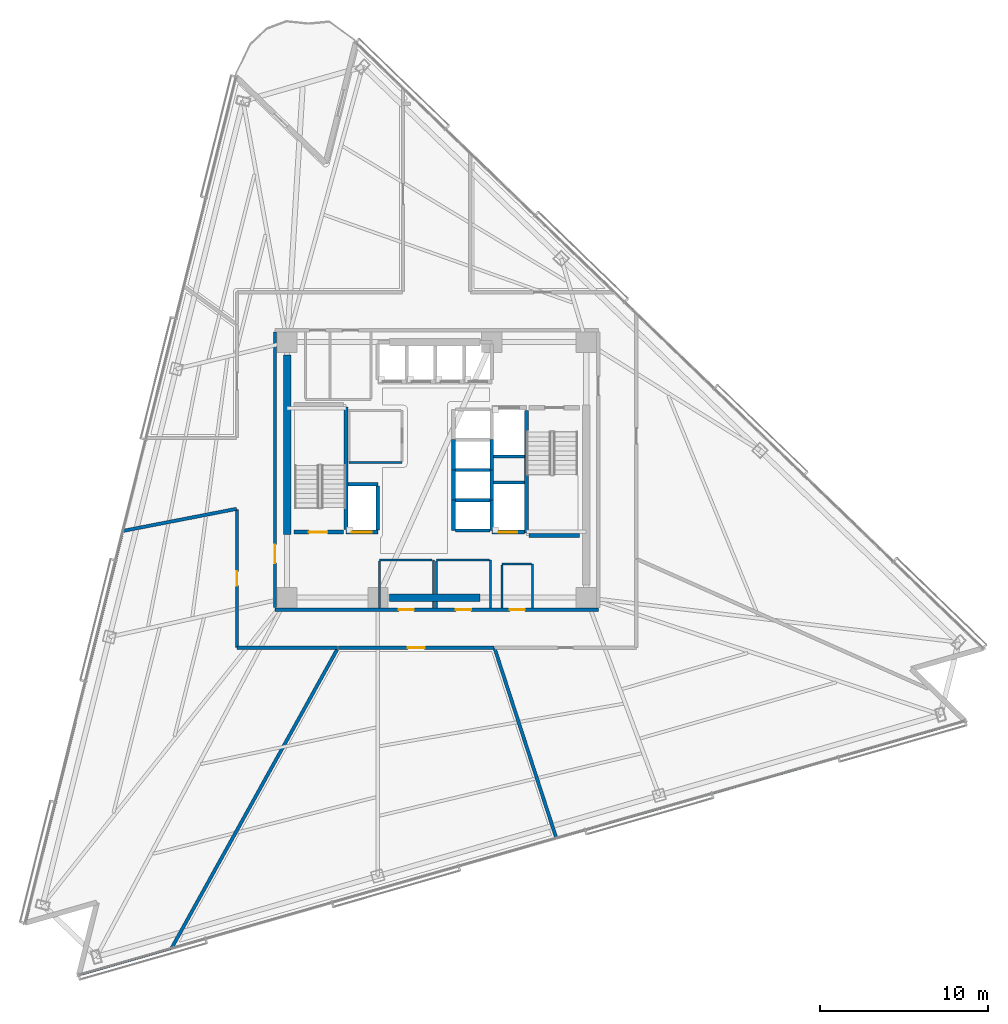
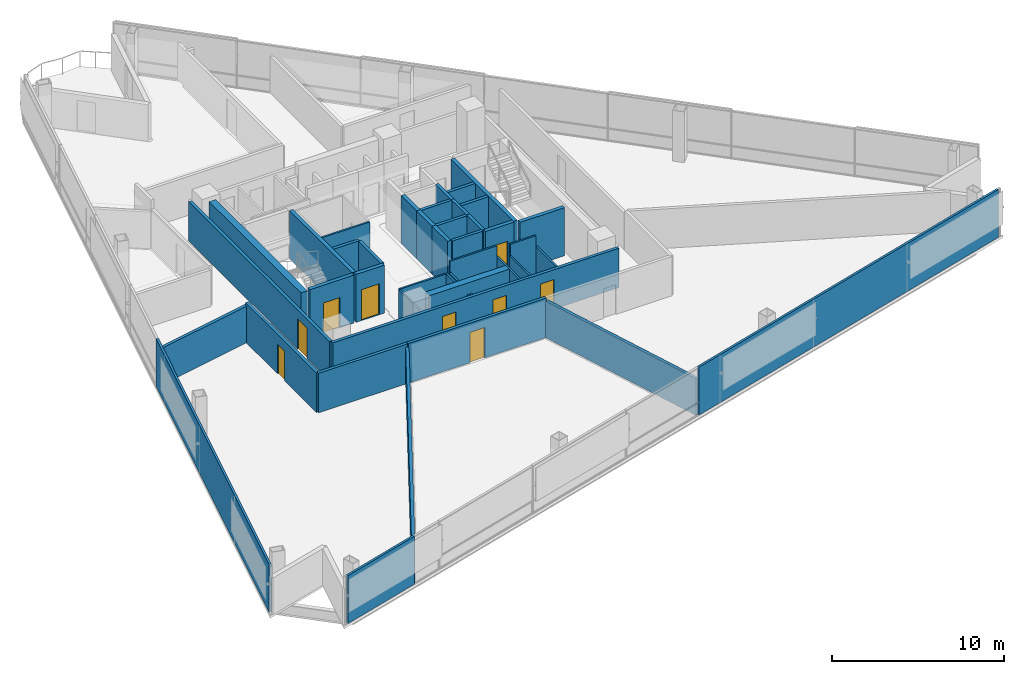
# One storey, part 9 of 17: 44 walls, 9 doors, 9 openings.
"""IFC4 building model written with IfcOpenShell, lengths in metres."""

from ifc_helpers import new_model, si_unit, direction, frame, frame_2d, origin, place, context, subcontext, project, spatial, rectangle, extrude, material, layer, layer_set, type_object, element, fill, save


model = new_model("IFC4")

# Units and contexts
model_context = context("Model", 3, precision=1e-05, world=origin(), true_north=direction((0.0, 1.0)))
body_context = subcontext(model_context, "Body", "Model", "MODEL_VIEW")
ifc_project = project(units=[si_unit("LENGTHUNIT", "METRE"), si_unit("AREAUNIT", "SQUARE_METRE"), si_unit("VOLUMEUNIT", "CUBIC_METRE"), si_unit("PLANEANGLEUNIT", "RADIAN"), si_unit("MASSUNIT", "GRAM", prefix="KILO")], contexts=[model_context])

# Site, building, storey
site_placement = place(None, origin())
site = spatial("IfcSite", under=ifc_project, at=site_placement, CompositionType="ELEMENT")
building_placement = place(site_placement, origin())
building = spatial("IfcBuilding", under=site, at=building_placement, Name="Tharavind Bronze Gate", CompositionType="ELEMENT")
storey_placement = place(building_placement, frame((0.0, 0.0, 96.89990234375)))
storey = spatial("IfcBuildingStorey", under=building, at=storey_placement, Name="L24", CompositionType="ELEMENT", Elevation=96.89990234375)

# Wall, openings, doors
ifc_material_1 = material(Name="Aerated Concrete Block", Category="concrete")
ifc_layer_1 = layer(ifc_material_1, 0.199951171875)
ifc_layer_set_1 = layer_set([ifc_layer_1], Name="Aerated Concrete Block")
wall_type_1 = type_object("IfcWallType", Name="FIRE RATED PARTITION 200", PredefinedType="PARTITIONING", material=ifc_layer_set_1)
wall_1_placement = place(storey_placement, frame((-9.6201171875, -8.320068359375, 0.0), z_axis=(0.0, 0.0, 1.0), x_axis=(1.0, 0.0, 0.0)))
wall_1 = element("IfcWall", 1, at=wall_1_placement, inside=storey, type_object=wall_type_1, Name="L24 south core corridor wall", PredefinedType="PARTITIONING", context=body_context, shape_type="SweptSolid", body=[
    extrude(rectangle(XDim=19.240234375, YDim=0.199951171875, at=frame_2d((9.6201171875, 0.0))), origin(), (0.0, 0.0, 1.0), 2.80517578125),
])
opening_1_placement = place(wall_1_placement, frame((7.3701171875, 0.0, 0.0)))
opening_1 = element("IfcOpeningElement", 2, at=opening_1_placement, cuts=wall_1, Name="Opening ID07", PredefinedType="OPENING", context=body_context, shape_type="SweptSolid", body=[
    extrude(rectangle(XDim=0.89990234375, YDim=2.10009765625, at=frame_2d((0.449951171875, 1.050048828125))), frame((0.0, 0.11009765625, 0.0), z_axis=(0.0, -1.0, 0.0), x_axis=(1.0, 0.0, 0.0)), (0.0, 0.0, 1.0), 0.219951171875),
])
opening_2_placement = place(wall_1_placement, frame((10.77001953125, 0.0, 0.0)))
opening_2 = element("IfcOpeningElement", 3, at=opening_2_placement, cuts=wall_1, Name="Opening ID07", PredefinedType="OPENING", context=body_context, shape_type="SweptSolid", body=[
    extrude(rectangle(XDim=0.89990234375, YDim=2.10009765625, at=frame_2d((0.449951171875, 1.050048828125))), frame((0.0, 0.11009765625, 0.0), z_axis=(0.0, -1.0, 0.0), x_axis=(1.0, 0.0, 0.0)), (0.0, 0.0, 1.0), 0.219951171875),
])
opening_3_placement = place(wall_1_placement, frame((13.969970703125, 0.0, 0.0)))
opening_3 = element("IfcOpeningElement", 4, at=opening_3_placement, cuts=wall_1, Name="Opening ID07", PredefinedType="OPENING", context=body_context, shape_type="SweptSolid", body=[
    extrude(rectangle(XDim=0.89990234375, YDim=2.10009765625, at=frame_2d((0.449951171875, 1.050048828125))), frame((0.0, 0.11009765625, 0.0), z_axis=(0.0, -1.0, 0.0), x_axis=(1.0, 0.0, 0.0)), (0.0, 0.0, 1.0), 0.219951171875),
])
ifc_material_2 = material(Name="Galvanised Fire Steel", Category="steel")
door_type_1 = type_object("IfcDoorType", Name="PLANT AND RISER FIRE DOOR 900X2100", OperationType="SINGLE_SWING_LEFT", PredefinedType="DOOR", material=ifc_material_2)
door_1_placement = place(opening_1_placement, frame((0.89990234375, 0.0, 0.0), z_axis=(0.0, 0.0, 1.0), x_axis=(-1.0, 0.0, 0.0)))
door_1 = element("IfcDoor", 5, at=door_1_placement, inside=storey, type_object=door_type_1, Name="L24 Core Archive Store fire door", OperationType="SINGLE_SWING_LEFT", OverallHeight=2.10009765625, OverallWidth=0.89990234375, PredefinedType="DOOR", context=body_context, shape_type="SweptSolid", body=[
    extrude(rectangle(XDim=0.89990234375, YDim=2.10009765625, at=frame_2d((0.449951171875, 1.050048828125))), frame((0.0, 0.02490234375, 0.0), z_axis=(0.0, -1.0, 0.0), x_axis=(1.0, 0.0, 0.0)), (0.0, 0.0, 1.0), 0.050048828125),
])
fill(opening_1, door_1)
door_2_placement = place(opening_2_placement, frame((0.89990234375, 0.0, 0.0), z_axis=(0.0, 0.0, 1.0), x_axis=(-1.0, 0.0, 0.0)))
door_2 = element("IfcDoor", 6, at=door_2_placement, inside=storey, type_object=door_type_1, Name="L24 Core Server Room fire door", OperationType="SINGLE_SWING_LEFT", OverallHeight=2.10009765625, OverallWidth=0.89990234375, PredefinedType="DOOR", context=body_context, shape_type="SweptSolid", body=[
    extrude(rectangle(XDim=0.89990234375, YDim=2.10009765625, at=frame_2d((0.449951171875, 1.050048828125))), frame((0.0, 0.02490234375, 0.0), z_axis=(0.0, -1.0, 0.0), x_axis=(1.0, 0.0, 0.0)), (0.0, 0.0, 1.0), 0.050048828125),
])
fill(opening_2, door_2)
door_3_placement = place(opening_3_placement, frame((0.89990234375, 0.0, 0.0), z_axis=(0.0, 0.0, 1.0), x_axis=(-1.0, 0.0, 0.0)))
door_3 = element("IfcDoor", 7, at=door_3_placement, inside=storey, type_object=door_type_1, Name="L24 Janitor Store Cupboard fire door", OperationType="SINGLE_SWING_LEFT", OverallHeight=2.10009765625, OverallWidth=0.89990234375, PredefinedType="DOOR", context=body_context, shape_type="SweptSolid", body=[
    extrude(rectangle(XDim=0.89990234375, YDim=2.10009765625, at=frame_2d((0.449951171875, 1.050048828125))), frame((0.0, 0.02490234375, 0.0), z_axis=(0.0, -1.0, 0.0), x_axis=(1.0, 0.0, 0.0)), (0.0, 0.0, 1.0), 0.050048828125),
])
fill(opening_3, door_3)

# Wall, opening, door
wall_2_placement = place(storey_placement, frame((-9.6201171875, 8.199951171875, 0.0), z_axis=(0.0, 0.0, 1.0), x_axis=(0.0, -1.0, 0.0)))
wall_2 = element("IfcWall", 8, at=wall_2_placement, inside=storey, type_object=wall_type_1, Name="L24 west core corridor wall", PredefinedType="PARTITIONING", context=body_context, shape_type="SweptSolid", body=[
    extrude(rectangle(XDim=16.39990234375, YDim=0.199951171875, at=frame_2d((8.199951171875, 0.0))), origin(), (0.0, 0.0, 1.0), 2.80517578125),
])
opening_4_placement = place(wall_2_placement, frame((12.64990234375, 0.0, 0.0)))
opening_4 = element("IfcOpeningElement", 9, at=opening_4_placement, cuts=wall_2, Name="Opening ID01", PredefinedType="OPENING", context=body_context, shape_type="SweptSolid", body=[
    extrude(rectangle(XDim=1.10009765625, YDim=2.14990234375, at=frame_2d((0.550048828125, 1.074951171875))), frame((0.0, 0.11009765625, 0.0), z_axis=(0.0, -1.0, 0.0), x_axis=(1.0, 0.0, 0.0)), (0.0, 0.0, 1.0), 0.219951171875),
])
ifc_material_3 = material(Name="Fire-Rated Steel", Category="steel")
door_type_2 = type_object("IfcDoorType", Name="STAIR CORE FIRE DOOR 1100X2150", OperationType="SINGLE_SWING_LEFT", PredefinedType="DOOR", material=ifc_material_3)
door_4_placement = place(opening_4_placement, frame((1.10009765625, 0.0, 0.0), z_axis=(0.0, 0.0, 1.0), x_axis=(-1.0, 0.0, 0.0)))
door_4 = element("IfcDoor", 10, at=door_4_placement, inside=storey, type_object=door_type_2, Name="L24 south west stair lobby fire door", OperationType="SINGLE_SWING_LEFT", OverallHeight=2.14990234375, OverallWidth=1.10009765625, PredefinedType="DOOR", context=body_context, shape_type="SweptSolid", body=[
    extrude(rectangle(XDim=1.10009765625, YDim=2.14990234375, at=frame_2d((0.550048828125, 1.074951171875))), frame((0.0, 0.02490234375, 0.0), z_axis=(0.0, -1.0, 0.0), x_axis=(1.0, 0.0, 0.0)), (0.0, 0.0, 1.0), 0.050048828125),
])
fill(opening_4, door_4)

# Wall
wall_3_placement = place(storey_placement, frame((-18.65576171875, -3.626220703125, 0.0), z_axis=(0.0, 0.0, 1.0), x_axis=(0.981626666558, 0.190811654522, 0.0)))
element("IfcWall", 11, at=wall_3_placement, inside=storey, type_object=wall_type_1, Name="L24 Public Restrooms Block partition", PredefinedType="PARTITIONING", context=body_context, shape_type="SweptSolid", body=[
    extrude(rectangle(XDim=6.8720703125, YDim=0.199951171875, at=frame_2d((3.43603515625, 0.0))), origin(), (0.0, 0.0, 1.0), 2.60498046875),
])

# Wall, opening, door
wall_4_placement = place(storey_placement, frame((-11.8798828125, -2.339599609375, 0.0), z_axis=(0.0, 0.0, 1.0), x_axis=(0.0, -1.0, 0.0)))
wall_4 = element("IfcWall", 12, at=wall_4_placement, inside=storey, type_object=wall_type_1, Name="L24 Public Restrooms Block partition", PredefinedType="PARTITIONING", context=body_context, shape_type="SweptSolid", body=[
    extrude(rectangle(XDim=8.23974609375, YDim=0.199951171875, at=frame_2d((4.119873046875, 0.0))), origin(), (0.0, 0.0, 1.0), 2.80517578125),
])
opening_5_placement = place(wall_4_placement, frame((3.695068359375, 0.0, 0.0)))
opening_5 = element("IfcOpeningElement", 13, at=opening_5_placement, cuts=wall_4, Name="Opening ID06", PredefinedType="OPENING", context=body_context, shape_type="SweptSolid", body=[
    extrude(rectangle(XDim=0.85009765625, YDim=2.10009765625, at=frame_2d((0.425048828125, 1.050048828125))), frame((0.0, 0.11009765625, 0.0), z_axis=(0.0, -1.0, 0.0), x_axis=(1.0, 0.0, 0.0)), (0.0, 0.0, 1.0), 0.219951171875),
])
ifc_material_4 = material(Name="Moisture-Resistant Timber", Category="wood")
door_type_3 = type_object("IfcDoorType", Name="BATHROOM PRIVACY DOOR 850X2100", OperationType="SINGLE_SWING_RIGHT", PredefinedType="DOOR", material=ifc_material_4)
door_5_placement = place(opening_5_placement, origin())
door_5 = element("IfcDoor", 14, at=door_5_placement, inside=storey, type_object=door_type_3, Name="L24 Public Restrooms Block door", OperationType="SINGLE_SWING_RIGHT", OverallHeight=2.10009765625, OverallWidth=0.85009765625, PredefinedType="DOOR", context=body_context, shape_type="SweptSolid", body=[
    extrude(rectangle(XDim=0.85009765625, YDim=2.10009765625, at=frame_2d((0.425048828125, 1.050048828125))), frame((0.0, 0.02490234375, 0.0), z_axis=(0.0, -1.0, 0.0), x_axis=(1.0, 0.0, 0.0)), (0.0, 0.0, 1.0), 0.050048828125),
])
fill(opening_5, door_5)

# Walls
wall_5_placement = place(storey_placement, frame((-11.87939453125, -10.580078125, 0.0), z_axis=(0.0, 0.0, 1.0), x_axis=(1.0, 0.0, 0.0)))
element("IfcWall", 15, at=wall_5_placement, inside=storey, type_object=wall_type_1, Name="L24 Public Restrooms Block partition", PredefinedType="PARTITIONING", context=body_context, shape_type="SweptSolid", body=[
    extrude(rectangle(XDim=5.972412109375, YDim=0.199951171875, at=frame_2d((2.986328125, 0.0))), origin(), (0.0, 0.0, 1.0), 2.80517578125),
])
wall_6_placement = place(storey_placement, frame((-5.9228515625, -10.68505859375, 0.0), z_axis=(0.0, 0.0, 1.0), x_axis=(-0.484811285835, -0.874618783886, 0.0)))
element("IfcWall", 16, at=wall_6_placement, inside=storey, type_object=wall_type_1, Name="L24 Public Restrooms Block partition", PredefinedType="PARTITIONING", context=body_context, shape_type="SweptSolid", body=[
    extrude(rectangle(XDim=20.3193359375, YDim=0.199951171875, at=frame_2d((10.15966796875, 0.0))), origin(), (0.0, 0.0, 1.0), 2.60498046875),
])
wall_7_placement = place(storey_placement, frame((7.108642578125, -21.8779296875, 0.0), z_axis=(0.0, 0.0, 1.0), x_axis=(-0.309027348364, 0.951053152018, 0.0)))
element("IfcWall", 17, at=wall_7_placement, inside=storey, type_object=wall_type_1, Name="L24 Public Restrooms Block partition", PredefinedType="PARTITIONING", context=body_context, shape_type="SweptSolid", body=[
    extrude(rectangle(XDim=11.844970703125, YDim=0.199951171875, at=frame_2d((5.92236328125, 0.0))), origin(), (0.0, 0.0, 1.0), 2.60498046875),
])

# Wall, opening, door
wall_8_placement = place(storey_placement, frame((-5.849853515625, -10.580078125, 0.0), z_axis=(0.0, 0.0, 1.0), x_axis=(1.0, 0.0, 0.0)))
wall_8 = element("IfcWall", 18, at=wall_8_placement, inside=storey, type_object=wall_type_1, Name="L24 Engineering Open Office partition", PredefinedType="PARTITIONING", context=body_context, shape_type="SweptSolid", body=[
    extrude(rectangle(XDim=9.269287109375, YDim=0.199951171875, at=frame_2d((4.634765625, 0.0))), origin(), (0.0, 0.0, 1.0), 2.80517578125),
])
opening_6_placement = place(wall_8_placement, frame((4.135009765625, 0.0, 0.0)))
opening_6 = element("IfcOpeningElement", 19, at=opening_6_placement, cuts=wall_8, Name="Opening ID04", PredefinedType="OPENING", context=body_context, shape_type="SweptSolid", body=[
    extrude(rectangle(XDim=1.0, YDim=2.14990234375, at=frame_2d((0.5, 1.074951171875))), frame((0.0, 0.11009765625, 0.0), z_axis=(0.0, -1.0, 0.0), x_axis=(1.0, 0.0, 0.0)), (0.0, 0.0, 1.0), 0.219951171875),
])
ifc_material_5 = material(Name="Bronze Framed Acoustic Timber", Category="wood")
door_type_4 = type_object("IfcDoorType", Name="OFFICE TENANCY DOOR 1000X2150", OperationType="SINGLE_SWING_RIGHT", PredefinedType="DOOR", material=ifc_material_5)
door_6_placement = place(opening_6_placement, origin())
door_6 = element("IfcDoor", 20, at=door_6_placement, inside=storey, type_object=door_type_4, Name="L24 Engineering Open Office door", OperationType="SINGLE_SWING_RIGHT", OverallHeight=2.14990234375, OverallWidth=1.0, PredefinedType="DOOR", context=body_context, shape_type="SweptSolid", body=[
    extrude(rectangle(XDim=1.0, YDim=2.14990234375, at=frame_2d((0.5, 1.074951171875))), frame((0.0, 0.02490234375, 0.0), z_axis=(0.0, -1.0, 0.0), x_axis=(1.0, 0.0, 0.0)), (0.0, 0.0, 1.0), 0.050048828125),
])
fill(opening_6, door_6)

# Walls
ifc_material_6 = material(Name="Metal Stud Gypsum Partition", Category="gypsum")
ifc_layer_2 = layer(ifc_material_6, 0.1201171875)
ifc_layer_set_2 = layer_set([ifc_layer_2], Name="Metal Stud Gypsum Partition")
wall_type_2 = type_object("IfcWallType", Name="INTERIOR PARTITION WALL 120", PredefinedType="PARTITIONING", material=ifc_layer_set_2)
wall_9_placement = place(storey_placement, frame((-5.219970703125, 0.449951171875, 0.0), z_axis=(0.0, 0.0, 1.0), x_axis=(1.0, 0.0, 0.0)))
element("IfcWall", 21, at=wall_9_placement, inside=storey, type_object=wall_type_2, Name="L24 Electrical & Telecom Store partition 1", PredefinedType="PARTITIONING", context=body_context, shape_type="SweptSolid", body=[
    extrude(rectangle(XDim=3.169921875, YDim=0.1201171875, at=frame_2d((1.5849609375, 0.0))), origin(), (0.0, 0.0, 1.0), 3.41015625),
])
wall_10_placement = place(storey_placement, frame((-0.199951171875, -8.215087890625, 0.0), z_axis=(0.0, 0.0, 1.0), x_axis=(0.0, 1.0, 0.0)))
element("IfcWall", 22, at=wall_10_placement, inside=storey, type_object=wall_type_2, Name="L24 Core Archive Store partition 2", PredefinedType="PARTITIONING", context=body_context, shape_type="SweptSolid", body=[
    extrude(rectangle(XDim=0.385009765625, YDim=0.1201171875, at=frame_2d((0.1923828125, 0.0))), origin(), (0.0, 0.0, 1.0), 2.60498046875),
])
wall_11_placement = place(storey_placement, frame((-0.199951171875, -7.3701171875, 0.0), z_axis=(0.0, 0.0, 1.0), x_axis=(0.0, 1.0, 0.0)))
element("IfcWall", 23, at=wall_11_placement, inside=storey, type_object=wall_type_2, Name="L24 Core Archive Store partition 2", PredefinedType="PARTITIONING", context=body_context, shape_type="SweptSolid", body=[
    extrude(rectangle(XDim=2.02001953125, YDim=0.1201171875, at=frame_2d((1.010009765625, 0.0))), origin(), (0.0, 0.0, 1.0), 2.60498046875),
])
wall_12_placement = place(storey_placement, frame((-0.264892578125, -5.35009765625, 0.0), z_axis=(0.0, 0.0, 1.0), x_axis=(-1.0, 0.0, 0.0)))
element("IfcWall", 24, at=wall_12_placement, inside=storey, type_object=wall_type_2, Name="L24 Core Archive Store partition 3", PredefinedType="PARTITIONING", context=body_context, shape_type="SweptSolid", body=[
    extrude(rectangle(XDim=3.135009765625, YDim=0.1201171875, at=frame_2d((1.5673828125, 0.0))), origin(), (0.0, 0.0, 1.0), 2.60498046875),
])
wall_13_placement = place(storey_placement, frame((-3.39990234375, -5.4150390625, 0.0), z_axis=(0.0, 0.0, 1.0), x_axis=(0.0, -1.0, 0.0)))
element("IfcWall", 25, at=wall_13_placement, inside=storey, type_object=wall_type_2, Name="L24 Core Archive Store partition 4", PredefinedType="PARTITIONING", context=body_context, shape_type="SweptSolid", body=[
    extrude(rectangle(XDim=2.800048828125, YDim=0.1201171875, at=frame_2d((1.39990234375, 0.0))), origin(), (0.0, 0.0, 1.0), 2.60498046875),
])
wall_14_placement = place(storey_placement, frame((3.199951171875, -8.215087890625, 0.0), z_axis=(0.0, 0.0, 1.0), x_axis=(0.0, 1.0, 0.0)))
element("IfcWall", 26, at=wall_14_placement, inside=storey, type_object=wall_type_2, Name="L24 Core Server Room partition 2", PredefinedType="PARTITIONING", context=body_context, shape_type="SweptSolid", body=[
    extrude(rectangle(XDim=2.864990234375, YDim=0.1201171875, at=frame_2d((1.4326171875, 0.0))), origin(), (0.0, 0.0, 1.0), 2.60498046875),
])
wall_15_placement = place(storey_placement, frame((3.135009765625, -5.35009765625, 0.0), z_axis=(0.0, 0.0, 1.0), x_axis=(-1.0, 0.0, 0.0)))
element("IfcWall", 27, at=wall_15_placement, inside=storey, type_object=wall_type_2, Name="L24 Core Server Room partition 3", PredefinedType="PARTITIONING", context=body_context, shape_type="SweptSolid", body=[
    extrude(rectangle(XDim=3.135009765625, YDim=0.1201171875, at=frame_2d((1.5673828125, 0.0))), origin(), (0.0, 0.0, 1.0), 3.41015625),
])
wall_16_placement = place(storey_placement, frame((0.0, -5.4150390625, 0.0), z_axis=(0.0, 0.0, 1.0), x_axis=(0.0, -1.0, 0.0)))
element("IfcWall", 28, at=wall_16_placement, inside=storey, type_object=wall_type_2, Name="L24 Core Server Room partition 4", PredefinedType="PARTITIONING", context=body_context, shape_type="SweptSolid", body=[
    extrude(rectangle(XDim=1.955078125, YDim=0.1201171875, at=frame_2d((0.9775390625, 0.0))), origin(), (0.0, 0.0, 1.0), 2.60498046875),
])
wall_17_placement = place(storey_placement, frame((0.0, -7.830078125, 0.0), z_axis=(0.0, 0.0, 1.0), x_axis=(0.0, -1.0, 0.0)))
element("IfcWall", 29, at=wall_17_placement, inside=storey, type_object=wall_type_2, Name="L24 Core Server Room partition 4", PredefinedType="PARTITIONING", context=body_context, shape_type="SweptSolid", body=[
    extrude(rectangle(XDim=0.385009765625, YDim=0.1201171875, at=frame_2d((0.1923828125, 0.0))), origin(), (0.0, 0.0, 1.0), 2.60498046875),
])
wall_18_placement = place(storey_placement, frame((5.699951171875, -8.215087890625, 0.0), z_axis=(0.0, 0.0, 1.0), x_axis=(0.0, 1.0, 0.0)))
element("IfcWall", 30, at=wall_18_placement, inside=storey, type_object=wall_type_2, Name="L24 Janitor Store Cupboard partition 2", PredefinedType="PARTITIONING", context=body_context, shape_type="SweptSolid", body=[
    extrude(rectangle(XDim=2.614990234375, YDim=0.1201171875, at=frame_2d((1.3076171875, 0.0))), origin(), (0.0, 0.0, 1.0), 2.60498046875),
])
wall_19_placement = place(storey_placement, frame((5.635009765625, -5.60009765625, 0.0), z_axis=(0.0, 0.0, 1.0), x_axis=(-1.0, 0.0, 0.0)))
element("IfcWall", 31, at=wall_19_placement, inside=storey, type_object=wall_type_2, Name="L24 Janitor Store Cupboard partition 3", PredefinedType="PARTITIONING", context=body_context, shape_type="SweptSolid", body=[
    extrude(rectangle(XDim=1.735107421875, YDim=0.1201171875, at=frame_2d((0.86767578125, 0.0))), origin(), (0.0, 0.0, 1.0), 3.41015625),
])
wall_20_placement = place(storey_placement, frame((3.89990234375, -5.6650390625, 0.0), z_axis=(0.0, 0.0, 1.0), x_axis=(0.0, -1.0, 0.0)))
element("IfcWall", 32, at=wall_20_placement, inside=storey, type_object=wall_type_2, Name="L24 Janitor Store Cupboard partition 4", PredefinedType="PARTITIONING", context=body_context, shape_type="SweptSolid", body=[
    extrude(rectangle(XDim=2.550048828125, YDim=0.1201171875, at=frame_2d((1.27490234375, 0.0))), origin(), (0.0, 0.0, 1.0), 2.60498046875),
])
ifc_material_7 = material(Name="Twin Stud Acoustic Gypsum", Category="gypsum")
ifc_layer_3 = layer(ifc_material_7, 0.14990234375)
ifc_layer_set_3 = layer_set([ifc_layer_3], Name="Twin Stud Acoustic Gypsum")
wall_type_3 = type_object("IfcWallType", Name="INTERIOR PARTITION WALL 150", PredefinedType="PARTITIONING", material=ifc_layer_set_3)
wall_21_placement = place(storey_placement, frame((-24.446044921875, -26.789794921875, 0.0), z_axis=(0.0, 0.0, 1.0), x_axis=(0.241923887104, 0.970295229736, 0.0)))
element("IfcWall", 33, at=wall_21_placement, inside=storey, type_object=wall_type_3, Name="L24 Public Restrooms Block partition", PredefinedType="PARTITIONING", context=body_context, shape_type="SweptSolid", body=[
    extrude(rectangle(XDim=23.853515625, YDim=0.14990234375, at=frame_2d((11.9267578125, 0.0))), origin(), (0.0, 0.0, 1.0), 3.41015625),
])
wall_22_placement = place(storey_placement, frame((-15.788818359375, -28.46875, 0.0), z_axis=(0.0, 0.0, 1.0), x_axis=(-0.96125788929, -0.275650630831, 0.0)))
element("IfcWall", 34, at=wall_22_placement, inside=storey, type_object=wall_type_3, Name="L24 Public Restrooms Block partition", PredefinedType="PARTITIONING", context=body_context, shape_type="SweptSolid", body=[
    extrude(rectangle(XDim=5.5498046875, YDim=0.14990234375, at=frame_2d((2.77490234375, 0.0))), origin(), (0.0, 0.0, 1.0), 3.41015625),
])
wall_23_placement = place(storey_placement, frame((31.2666015625, -14.975830078125, 0.0), z_axis=(0.0, 0.0, 1.0), x_axis=(-0.961260697891, -0.275640836396, 0.0)))
element("IfcWall", 35, at=wall_23_placement, inside=storey, type_object=wall_type_3, Name="L24 Public Restrooms Block partition", PredefinedType="PARTITIONING", context=body_context, shape_type="SweptSolid", body=[
    extrude(rectangle(XDim=25.099609375, YDim=0.14990234375, at=frame_2d((12.5498046875, 0.0))), origin(), (0.0, 0.0, 1.0), 3.41015625),
])
ifc_material_8 = material(Name="Concrete C50/60", Category="concrete")
ifc_layer_4 = layer(ifc_material_8, 0.25)
ifc_layer_set_4 = layer_set([ifc_layer_4], Name="Concrete C50/60")
wall_type_4 = type_object("IfcWallType", Name="RC CORE SHEAR WALL 250", PredefinedType="SHEAR", material=ifc_layer_set_4)
wall_24_placement = place(storey_placement, frame((-5.39990234375, -3.550048828125, 0.0), z_axis=(0.0, 0.0, 1.0), x_axis=(0.0, 1.0, 0.0)))
element("IfcWall", 36, at=wall_24_placement, inside=storey, type_object=wall_type_4, Name="L24 ST1 shaft east wall", PredefinedType="SHEAR", context=body_context, shape_type="SweptSolid", body=[
    extrude(rectangle(XDim=7.300048828125, YDim=0.25, at=frame_2d((3.64990234375, 0.0))), origin(), (0.0, 0.0, 1.0), 3.41015625),
])

# Wall, opening, door
wall_25_placement = place(storey_placement, frame((-8.5, -3.699951171875, 0.0), z_axis=(0.0, 0.0, 1.0), x_axis=(1.0, 0.0, 0.0)))
wall_25 = element("IfcWall", 37, at=wall_25_placement, inside=storey, type_object=wall_type_4, Name="L24 ST1 shaft south wall", PredefinedType="SHEAR", context=body_context, shape_type="SweptSolid", body=[
    extrude(rectangle(XDim=2.949951171875, YDim=0.25, at=frame_2d((1.47509765625, 0.0))), origin(), (0.0, 0.0, 1.0), 3.41015625),
])
opening_7_placement = place(wall_25_placement, frame((0.89990234375, 0.0, 0.0)))
opening_7 = element("IfcOpeningElement", 38, at=opening_7_placement, cuts=wall_25, Name="Opening ID01", PredefinedType="OPENING", context=body_context, shape_type="SweptSolid", body=[
    extrude(rectangle(XDim=1.10009765625, YDim=2.14990234375, at=frame_2d((0.550048828125, 1.074951171875))), frame((0.0, 0.135, 0.0), z_axis=(0.0, -1.0, 0.0), x_axis=(1.0, 0.0, 0.0)), (0.0, 0.0, 1.0), 0.27),
])
door_7_placement = place(opening_7_placement, origin())
door_7 = element("IfcDoor", 39, at=door_7_placement, inside=storey, type_object=door_type_2, Name="L24 exit stair ST1 fire door", OperationType="SINGLE_SWING_LEFT", OverallHeight=2.14990234375, OverallWidth=1.10009765625, PredefinedType="DOOR", context=body_context, shape_type="SweptSolid", body=[
    extrude(rectangle(XDim=1.10009765625, YDim=2.14990234375, at=frame_2d((0.550048828125, 1.074951171875))), frame((0.0, 0.02490234375, 0.0), z_axis=(0.0, -1.0, 0.0), x_axis=(1.0, 0.0, 0.0)), (0.0, 0.0, 1.0), 0.050048828125),
])
fill(opening_7, door_7)

# Walls
wall_26_placement = place(storey_placement, frame((5.35009765625, -3.75, 0.0), z_axis=(0.0, 0.0, 1.0), x_axis=(0.0, 1.0, 0.0)))
element("IfcWall", 40, at=wall_26_placement, inside=storey, type_object=wall_type_4, Name="L24 ST2 shaft west wall", PredefinedType="SHEAR", context=body_context, shape_type="SweptSolid", body=[
    extrude(rectangle(XDim=7.300048828125, YDim=0.25, at=frame_2d((3.64990234375, 0.0))), origin(), (0.0, 0.0, 1.0), 3.41015625),
])
wall_27_placement = place(storey_placement, frame((5.5, -3.89990234375, 0.0), z_axis=(0.0, 0.0, 1.0), x_axis=(1.0, 0.0, 0.0)))
element("IfcWall", 41, at=wall_27_placement, inside=storey, type_object=wall_type_4, Name="L24 ST2 shaft south wall", PredefinedType="SHEAR", context=body_context, shape_type="SweptSolid", body=[
    extrude(rectangle(XDim=3.0, YDim=0.25, at=frame_2d((1.5, 0.0))), origin(), (0.0, 0.0, 1.0), 3.41015625),
])
for number, where, z_axis, x_axis, name in (
    (42, (1.0, -3.60009765625, 0.0), (0.0, 0.0, 1.0), (0.0, 1.0, 0.0), "L24 lift PL9 shaft front wall"),
    (43, (1.0, -1.800048828125, 0.0), (0.0, 0.0, 1.0), (0.0, 1.0, 0.0), "L24 lift PL10 shaft front wall"),
    (44, (1.0, 0.0, 0.0), (0.0, 0.0, 1.0), (0.0, 1.0, 0.0), "L24 lift PL11 shaft front wall"),
):
    element("IfcWall", number, at=place(storey_placement, frame(where, z_axis=z_axis, x_axis=x_axis)), inside=storey, type_object=wall_type_4, Name=name, PredefinedType="SHEAR", context=body_context, shape_type="SweptSolid", body=[
        extrude(rectangle(XDim=1.800048828125, YDim=0.25, at=frame_2d((0.89990234375, 0.0))), origin(), (0.0, 0.0, 1.0), 3.41015625),
    ])

# Wall, opening, door
wall_28_placement = place(storey_placement, frame((-5.39990234375, -3.699951171875, 0.0), z_axis=(0.0, 0.0, 1.0), x_axis=(1.0, 0.0, 0.0)))
wall_28 = element("IfcWall", 45, at=wall_28_placement, inside=storey, type_object=wall_type_4, Name="L24 lift FFL1 shaft front wall", PredefinedType="SHEAR", context=body_context, shape_type="SweptSolid", body=[
    extrude(rectangle(XDim=1.89990234375, YDim=0.25, at=frame_2d((0.949951171875, 0.0))), origin(), (0.0, 0.0, 1.0), 3.41015625),
])
opening_8_placement = place(wall_28_placement, frame((0.35009765625, 0.0, 0.0)))
opening_8 = element("IfcOpeningElement", 46, at=opening_8_placement, cuts=wall_28, Name="Opening LD02", PredefinedType="OPENING", context=body_context, shape_type="SweptSolid", body=[
    extrude(rectangle(XDim=1.199951171875, YDim=2.199951171875, at=frame_2d((0.60009765625, 1.10009765625))), frame((0.0, 0.135, 0.0), z_axis=(0.0, -1.0, 0.0), x_axis=(1.0, 0.0, 0.0)), (0.0, 0.0, 1.0), 0.27),
])
ifc_material_9 = material(Name="Brushed Stainless Steel", Category="steel")
door_type_5 = type_object("IfcDoorType", Name="FIREFIGHTING LIFT LANDING DOOR 1200X2200", OperationType="SLIDING_TO_RIGHT", PredefinedType="DOOR", material=ifc_material_9)
door_8_placement = place(opening_8_placement, origin())
door_8 = element("IfcDoor", 47, at=door_8_placement, inside=storey, type_object=door_type_5, Name="L24 lift FFL1 sliding landing door", OperationType="SLIDING_TO_RIGHT", OverallHeight=2.199951171875, OverallWidth=1.199951171875, PredefinedType="DOOR", context=body_context, shape_type="SweptSolid", body=[
    extrude(rectangle(XDim=1.199951171875, YDim=2.199951171875, at=frame_2d((0.60009765625, 1.10009765625))), frame((0.0, 0.02490234375, 0.0), z_axis=(0.0, -1.0, 0.0), x_axis=(1.0, 0.0, 0.0)), (0.0, 0.0, 1.0), 0.050048828125),
])
fill(opening_8, door_8)

wall_29_placement = place(storey_placement, frame((3.280029296875, -3.699951171875, 0.0), z_axis=(0.0, 0.0, 1.0), x_axis=(1.0, 0.0, 0.0)))
wall_29 = element("IfcWall", 48, at=wall_29_placement, inside=storey, type_object=wall_type_4, Name="L24 lift SVL1 shaft front wall", PredefinedType="SHEAR", context=body_context, shape_type="SweptSolid", body=[
    extrude(rectangle(XDim=1.93994140625, YDim=0.25, at=frame_2d((0.969970703125, 0.0))), origin(), (0.0, 0.0, 1.0), 3.41015625),
])
opening_9_placement = place(wall_29_placement, frame((0.419921875, 0.0, 0.0)))
opening_9 = element("IfcOpeningElement", 49, at=opening_9_placement, cuts=wall_29, Name="Opening LD01", PredefinedType="OPENING", context=body_context, shape_type="SweptSolid", body=[
    extrude(rectangle(XDim=1.10009765625, YDim=2.199951171875, at=frame_2d((0.550048828125, 1.10009765625))), frame((0.0, 0.135, 0.0), z_axis=(0.0, -1.0, 0.0), x_axis=(1.0, 0.0, 0.0)), (0.0, 0.0, 1.0), 0.27),
])
ifc_material_10 = material(Name="Brushed Bronze Stainless Steel", Category="steel")
door_type_6 = type_object("IfcDoorType", Name="LIFT LANDING SLIDING DOOR 1100X2200", OperationType="SLIDING_TO_LEFT", PredefinedType="DOOR", material=ifc_material_10)
door_9_placement = place(opening_9_placement, origin())
door_9 = element("IfcDoor", 50, at=door_9_placement, inside=storey, type_object=door_type_6, Name="L24 lift SVL1 sliding landing door", OperationType="SLIDING_TO_LEFT", OverallHeight=2.199951171875, OverallWidth=1.10009765625, PredefinedType="DOOR", context=body_context, shape_type="SweptSolid", body=[
    extrude(rectangle(XDim=1.10009765625, YDim=2.199951171875, at=frame_2d((0.550048828125, 1.10009765625))), frame((0.0, 0.02490234375, 0.0), z_axis=(0.0, -1.0, 0.0), x_axis=(1.0, 0.0, 0.0)), (0.0, 0.0, 1.0), 0.050048828125),
])
fill(opening_9, door_9)

# Walls
ifc_material_11 = material(Name="Concrete C60/75", Category="concrete")
ifc_layer_5 = layer(ifc_material_11, 0.449951171875)
ifc_layer_set_5 = layer_set([ifc_layer_5], Name="Concrete C60/75")
wall_type_5 = type_object("IfcWallType", Name="RC CORE SHEAR WALL 450", PredefinedType="SHEAR", material=ifc_layer_set_5)
wall_30_placement = place(storey_placement, frame((-2.800048828125, -7.60009765625, 0.0), z_axis=(0.0, 0.0, 1.0), x_axis=(1.0, 0.0, 0.0)))
element("IfcWall", 51, at=wall_30_placement, inside=storey, type_object=wall_type_5, Name="L24 south core shear wall", PredefinedType="SHEAR", context=body_context, shape_type="SweptSolid", body=[
    extrude(rectangle(XDim=5.380126953125, YDim=0.449951171875, at=frame_2d((2.68994140625, 0.0))), origin(), (0.0, 0.0, 1.0), 3.41015625),
])
wall_31_placement = place(storey_placement, frame((-8.89990234375, -3.85009765625, 0.0), z_axis=(0.0, 0.0, 1.0), x_axis=(0.0, 1.0, 0.0)))
element("IfcWall", 52, at=wall_31_placement, inside=storey, type_object=wall_type_5, Name="L24 west core shear wall", PredefinedType="SHEAR", context=body_context, shape_type="SweptSolid", body=[
    extrude(rectangle(XDim=10.7001953125, YDim=0.449951171875, at=frame_2d((5.35009765625, 0.0))), origin(), (0.0, 0.0, 1.0), 3.41015625),
])
ifc_material_12 = material(Name="Concrete C40/50", Category="concrete")
ifc_layer_6 = layer(ifc_material_12, 0.199951171875)
ifc_layer_set_6 = layer_set([ifc_layer_6], Name="Concrete C40/50")
wall_type_6 = type_object("IfcWallType", Name="SHAFT ENCLOSURE WALL 200", PredefinedType="PARTITIONING", material=ifc_layer_set_6)
wall_32_placement = place(storey_placement, frame((3.280029296875, -3.60009765625, 0.0), z_axis=(0.0, 0.0, 1.0), x_axis=(0.0, 1.0, 0.0)))
element("IfcWall", 53, at=wall_32_placement, inside=storey, type_object=wall_type_6, Name="L24 lift PL9 shaft E enclosure wall", PredefinedType="PARTITIONING", context=body_context, shape_type="SweptSolid", body=[
    extrude(rectangle(XDim=1.800048828125, YDim=0.199951171875, at=frame_2d((0.89990234375, 0.0))), origin(), (0.0, 0.0, 1.0), 3.41015625),
])
for number, where, z_axis, x_axis, name in (
    (54, (1.1298828125, -3.60009765625, 0.0), (0.0, 0.0, 1.0), (1.0, 0.0, 0.0), "L24 lift PL9 shaft S enclosure wall"),
    (55, (1.1298828125, -1.800048828125, 0.0), (0.0, 0.0, 1.0), (1.0, 0.0, 0.0), "L24 lift PL9 shaft N enclosure wall"),
):
    element("IfcWall", number, at=place(storey_placement, frame(where, z_axis=z_axis, x_axis=x_axis)), inside=storey, type_object=wall_type_6, Name=name, PredefinedType="PARTITIONING", context=body_context, shape_type="SweptSolid", body=[
        extrude(rectangle(XDim=2.045166015625, YDim=0.199951171875, at=frame_2d((1.0224609375, 0.0))), origin(), (0.0, 0.0, 1.0), 3.41015625),
    ])
wall_33_placement = place(storey_placement, frame((3.280029296875, -1.800048828125, 0.0), z_axis=(0.0, 0.0, 1.0), x_axis=(0.0, 1.0, 0.0)))
element("IfcWall", 56, at=wall_33_placement, inside=storey, type_object=wall_type_6, Name="L24 lift PL10 shaft E enclosure wall", PredefinedType="PARTITIONING", context=body_context, shape_type="SweptSolid", body=[
    extrude(rectangle(XDim=1.800048828125, YDim=0.199951171875, at=frame_2d((0.89990234375, 0.0))), origin(), (0.0, 0.0, 1.0), 3.41015625),
])
wall_34_placement = place(storey_placement, frame((1.1298828125, 0.0, 0.0), z_axis=(0.0, 0.0, 1.0), x_axis=(1.0, 0.0, 0.0)))
element("IfcWall", 57, at=wall_34_placement, inside=storey, type_object=wall_type_6, Name="L24 lift PL10 shaft N enclosure wall", PredefinedType="PARTITIONING", context=body_context, shape_type="SweptSolid", body=[
    extrude(rectangle(XDim=2.045166015625, YDim=0.199951171875, at=frame_2d((1.0224609375, 0.0))), origin(), (0.0, 0.0, 1.0), 3.41015625),
])
wall_35_placement = place(storey_placement, frame((3.280029296875, 0.0, 0.0), z_axis=(0.0, 0.0, 1.0), x_axis=(0.0, 1.0, 0.0)))
element("IfcWall", 58, at=wall_35_placement, inside=storey, type_object=wall_type_6, Name="L24 lift PL11 shaft E enclosure wall", PredefinedType="PARTITIONING", context=body_context, shape_type="SweptSolid", body=[
    extrude(rectangle(XDim=1.800048828125, YDim=0.199951171875, at=frame_2d((0.89990234375, 0.0))), origin(), (0.0, 0.0, 1.0), 3.41015625),
])
wall_36_placement = place(storey_placement, frame((-5.27001953125, -0.85009765625, 0.0), z_axis=(0.0, 0.0, 1.0), x_axis=(1.0, 0.0, 0.0)))
element("IfcWall", 59, at=wall_36_placement, inside=storey, type_object=wall_type_6, Name="L24 lift FFL1 shaft N enclosure wall", PredefinedType="PARTITIONING", context=body_context, shape_type="SweptSolid", body=[
    extrude(rectangle(XDim=1.77001953125, YDim=0.199951171875, at=frame_2d((0.885009765625, 0.0))), origin(), (0.0, 0.0, 1.0), 3.41015625),
])
wall_37_placement = place(storey_placement, frame((-3.5, -3.570068359375, 0.0), z_axis=(0.0, 0.0, 1.0), x_axis=(0.0, 1.0, 0.0)))
element("IfcWall", 60, at=wall_37_placement, inside=storey, type_object=wall_type_6, Name="L24 lift FFL1 shaft E enclosure wall", PredefinedType="PARTITIONING", context=body_context, shape_type="SweptSolid", body=[
    extrude(rectangle(XDim=2.614990234375, YDim=0.199951171875, at=frame_2d((1.3076171875, 0.0))), origin(), (0.0, 0.0, 1.0), 3.41015625),
])
for number, where, z_axis, x_axis, name in (
    (61, (3.385009765625, 0.800048828125, 0.0), (0.0, 0.0, 1.0), (1.0, 0.0, 0.0), "L24 lift FFL2 shaft S enclosure wall"),
    (62, (3.385009765625, -0.75, 0.0), (0.0, 0.0, 1.0), (1.0, 0.0, 0.0), "L24 lift SVL1 shaft N enclosure wall"),
):
    element("IfcWall", number, at=place(storey_placement, frame(where, z_axis=z_axis, x_axis=x_axis)), inside=storey, type_object=wall_type_6, Name=name, PredefinedType="PARTITIONING", context=body_context, shape_type="SweptSolid", body=[
        extrude(rectangle(XDim=1.8349609375, YDim=0.199951171875, at=frame_2d((0.91748046875, 0.0))), origin(), (0.0, 0.0, 1.0), 3.41015625),
    ])

save(model, "model.ifc")
